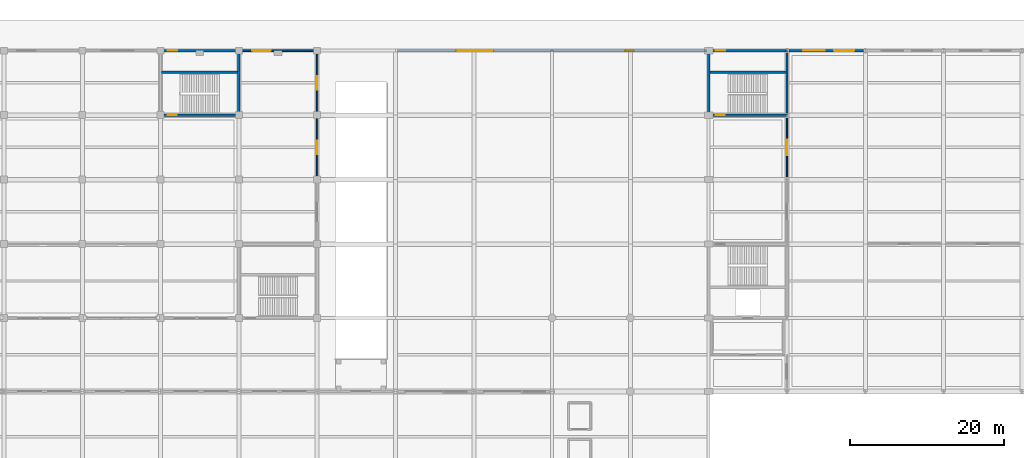
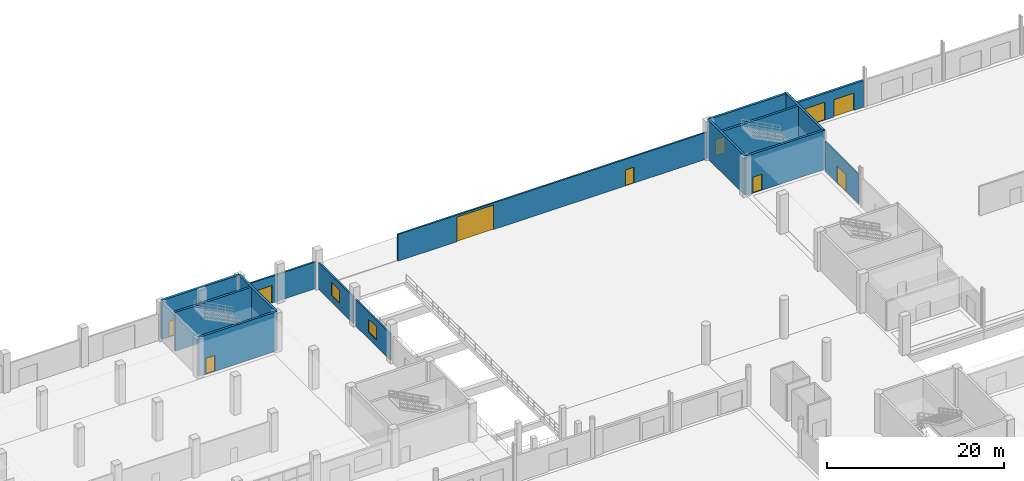
# One storey, part 98 of 124: 15 walls, 10 doors, 2 windows, 12 openings.
"""IFC4 building model written with IfcOpenShell, lengths in metres."""

from ifc_helpers import new_model, si_unit, direction, frame, frame_2d, origin, place, context, subcontext, project, spatial, rectangle, extrude, material, layer, layer_set, type_object, element, fill, save


model = new_model("IFC4")

# Units and contexts
model_context = context("Model", 3, precision=1e-05, world=origin(), true_north=direction((0.0, 1.0)))
body_context = subcontext(model_context, "Body", "Model", "MODEL_VIEW")
ifc_project = project(units=[si_unit("LENGTHUNIT", "METRE"), si_unit("AREAUNIT", "SQUARE_METRE"), si_unit("VOLUMEUNIT", "CUBIC_METRE"), si_unit("PLANEANGLEUNIT", "RADIAN"), si_unit("MASSUNIT", "GRAM", prefix="KILO")], contexts=[model_context])

# Site, building, storey
site_placement = place(None, origin())
site = spatial("IfcSite", under=ifc_project, at=site_placement, CompositionType="ELEMENT")
building_placement = place(site_placement, origin())
building = spatial("IfcBuilding", under=site, at=building_placement, Name="Brelvane Convention Centre", CompositionType="ELEMENT")
storey_placement = place(building_placement, origin())
storey = spatial("IfcBuildingStorey", under=building, at=storey_placement, Name="L00", CompositionType="ELEMENT", Elevation=0.0)

# Wall, openings, doors
ifc_material_1 = material(Name="Insulated Autoclaved Aerated Concrete Block Grade 1", Category="concrete")
ifc_layer_1 = layer(ifc_material_1, 0.280029296875)
ifc_layer_set_1 = layer_set([ifc_layer_1], Name="Insulated Autoclaved Aerated Concrete Block Grade 1")
wall_type_1 = type_object("IfcWallType", Name="Exterior Wall EW-01", PredefinedType="STANDARD", material=ifc_layer_set_1)
wall_1_placement = place(storey_placement, frame((173.639892578125, 144.0, 0.0), z_axis=(0.0, 0.0, 1.0), x_axis=(1.0, 0.0, 0.0)))
wall_1 = element("IfcWall", 1, at=wall_1_placement, inside=storey, type_object=wall_type_1, Name="Exterior Wall L00 V3N-L00-1", PredefinedType="STANDARD", context=body_context, shape_type="SweptSolid", body=[
    extrude(rectangle(XDim=9.72021484375, YDim=0.280029296875, at=frame_2d((4.860107421875, 0.0))), origin(), (0.0, 0.0, 1.0), 3.679931640625),
])
opening_1_placement = place(wall_1_placement, frame((1.905029296875, 0.0, 0.0)))
opening_1 = element("IfcOpeningElement", 2, at=opening_1_placement, cuts=wall_1, Name="Opening DR-EX-02", PredefinedType="OPENING", context=body_context, shape_type="SweptSolid", body=[
    extrude(rectangle(XDim=2.800048828125, YDim=2.449951171875, at=frame_2d((1.39990234375, 1.22509765625))), frame((0.0, 0.14990234375, 0.0), z_axis=(0.0, -1.0, 0.0), x_axis=(1.0, 0.0, 0.0)), (0.0, 0.0, 1.0), 0.300048828125),
])
opening_2_placement = place(wall_1_placement, frame((5.89306640625, 0.0, 0.0)))
opening_2 = element("IfcOpeningElement", 3, at=opening_2_placement, cuts=wall_1, Name="Opening DR-EX-03", PredefinedType="OPENING", context=body_context, shape_type="SweptSolid", body=[
    extrude(rectangle(XDim=2.60009765625, YDim=2.39990234375, at=frame_2d((1.300048828125, 1.199951171875))), frame((0.0, 0.14990234375, 0.0), z_axis=(0.0, -1.0, 0.0), x_axis=(1.0, 0.0, 0.0)), (0.0, 0.0, 1.0), 0.300048828125),
])
ifc_material_2 = material(Name="Anodised Aluminium Alloy 6063-T6", Category="aluminium")
door_type_1 = type_object("IfcDoorType", Name="Exterior Door DR-EX-02", OperationType="NOTDEFINED", PredefinedType="DOOR", material=ifc_material_2)
door_1_placement = place(opening_1_placement, origin())
door_1 = element("IfcDoor", 4, at=door_1_placement, inside=storey, type_object=door_type_1, Name="Final Exit Door BALL-N1A (DR-EX-02)", OperationType="DOUBLE_DOOR_SINGLE_SWING", OverallHeight=2.449951171875, OverallWidth=2.800048828125, PredefinedType="DOOR", context=body_context, shape_type="SweptSolid", body=[
    extrude(rectangle(XDim=2.800048828125, YDim=2.449951171875, at=frame_2d((1.39990234375, 1.22509765625))), frame((0.0, 0.02490234375, 0.0), z_axis=(0.0, -1.0, 0.0), x_axis=(1.0, 0.0, 0.0)), (0.0, 0.0, 1.0), 0.050048828125),
])
fill(opening_1, door_1)
ifc_material_3 = material(Name="Anodised Aluminium Alloy 6063-T6", Category="aluminium")
door_type_2 = type_object("IfcDoorType", Name="Exterior Door DR-EX-03", OperationType="NOTDEFINED", PredefinedType="DOOR", material=ifc_material_3)
door_2_placement = place(opening_2_placement, origin())
door_2 = element("IfcDoor", 5, at=door_2_placement, inside=storey, type_object=door_type_2, Name="Final Exit Door BALL-N1B (DR-EX-03)", OperationType="DOUBLE_DOOR_SINGLE_SWING", OverallHeight=2.39990234375, OverallWidth=2.60009765625, PredefinedType="DOOR", context=body_context, shape_type="SweptSolid", body=[
    extrude(rectangle(XDim=2.60009765625, YDim=2.39990234375, at=frame_2d((1.300048828125, 1.199951171875))), frame((0.0, 0.02490234375, 0.0), z_axis=(0.0, -1.0, 0.0), x_axis=(1.0, 0.0, 0.0)), (0.0, 0.0, 1.0), 0.050048828125),
])
fill(opening_2, door_2)

# Wall, opening, window
ifc_material_4 = material(Name="Insulated Autoclaved Aerated Concrete Block Grade 1", Category="concrete")
ifc_layer_2 = layer(ifc_material_4, 0.205078125)
ifc_layer_set_2 = layer_set([ifc_layer_2], Name="Insulated Autoclaved Aerated Concrete Block Grade 1")
wall_type_2 = type_object("IfcWallType", Name="Exterior Wall EW-05", PredefinedType="STANDARD", material=ifc_layer_set_2)
wall_2_placement = place(storey_placement, frame((112.199951171875, 127.43994140625, 0.0), z_axis=(0.0, 0.0, 1.0), x_axis=(0.0, 1.0, 0.0)))
wall_2 = element("IfcWall", 6, at=wall_2_placement, inside=storey, type_object=wall_type_2, Name="Exterior Wall L00 V4E-3", PredefinedType="STANDARD", context=body_context, shape_type="SweptSolid", body=[
    extrude(rectangle(XDim=7.920166015625, YDim=0.205078125, at=frame_2d((3.9599609375, 0.0))), origin(), (0.0, 0.0, 1.0), 3.679931640625),
])
opening_3_placement = place(wall_2_placement, frame((3.06005859375, 0.0, 0.949951171875)))
opening_3 = element("IfcOpeningElement", 7, at=opening_3_placement, cuts=wall_2, Name="Opening WN-04", PredefinedType="OPENING", context=body_context, shape_type="SweptSolid", body=[
    extrude(rectangle(XDim=1.800048828125, YDim=1.800048828125, at=frame_2d((0.89990234375, 0.89990234375))), frame((0.0, 0.112548828125, 0.0), z_axis=(0.0, -1.0, 0.0), x_axis=(1.0, 0.0, 0.0)), (0.0, 0.0, 1.0), 0.22509765625),
])
ifc_material_5 = material(Name="Double Glazed Low-E Laminated Unit")
window_type = type_object("IfcWindowType", Name="Window WN-04", PartitioningType="DOUBLE_PANEL_VERTICAL", PredefinedType="WINDOW", material=ifc_material_5)
window_1_placement = place(opening_3_placement, origin())
window_1 = element("IfcWindow", 8, at=window_1_placement, inside=storey, type_object=window_type, Name="Facade Window L00-V4E-3-015", OverallHeight=1.800048828125, OverallWidth=1.800048828125, PartitioningType="DOUBLE_PANEL_VERTICAL", PredefinedType="WINDOW", context=body_context, shape_type="SweptSolid", body=[
    extrude(rectangle(XDim=1.800048828125, YDim=1.800048828125, at=frame_2d((0.89990234375, 0.89990234375))), frame((0.0, 0.030029296875, 0.0), z_axis=(0.0, -1.0, 0.0), x_axis=(1.0, 0.0, 0.0)), (0.0, 0.0, 1.0), 0.06005859375),
])
fill(opening_3, window_1)

wall_3_placement = place(storey_placement, frame((112.199951171875, 135.840087890625, 0.0), z_axis=(0.0, 0.0, 1.0), x_axis=(0.0, 1.0, 0.0)))
wall_3 = element("IfcWall", 9, at=wall_3_placement, inside=storey, type_object=wall_type_2, Name="Exterior Wall L00 V4E-4", PredefinedType="STANDARD", context=body_context, shape_type="SweptSolid", body=[
    extrude(rectangle(XDim=7.919921875, YDim=0.205078125, at=frame_2d((3.9599609375, 0.0))), origin(), (0.0, 0.0, 1.0), 3.679931640625),
])
opening_4_placement = place(wall_3_placement, frame((3.06005859375, 0.0, 0.949951171875)))
opening_4 = element("IfcOpeningElement", 10, at=opening_4_placement, cuts=wall_3, Name="Opening WN-04", PredefinedType="OPENING", context=body_context, shape_type="SweptSolid", body=[
    extrude(rectangle(XDim=1.800048828125, YDim=1.800048828125, at=frame_2d((0.89990234375, 0.89990234375))), frame((0.0, 0.112548828125, 0.0), z_axis=(0.0, -1.0, 0.0), x_axis=(1.0, 0.0, 0.0)), (0.0, 0.0, 1.0), 0.22509765625),
])
window_2_placement = place(opening_4_placement, origin())
window_2 = element("IfcWindow", 11, at=window_2_placement, inside=storey, type_object=window_type, Name="Facade Window L00-V4E-4-016", OverallHeight=1.800048828125, OverallWidth=1.800048828125, PartitioningType="DOUBLE_PANEL_VERTICAL", PredefinedType="WINDOW", context=body_context, shape_type="SweptSolid", body=[
    extrude(rectangle(XDim=1.800048828125, YDim=1.800048828125, at=frame_2d((0.89990234375, 0.89990234375))), frame((0.0, 0.030029296875, 0.0), z_axis=(0.0, -1.0, 0.0), x_axis=(1.0, 0.0, 0.0)), (0.0, 0.0, 1.0), 0.06005859375),
])
fill(opening_4, window_2)

# Wall, opening, door
ifc_material_6 = material(Name="Concrete M40", Category="concrete")
ifc_layer_3 = layer(ifc_material_6, 0.215087890625)
ifc_layer_set_3 = layer_set([ifc_layer_3], Name="Concrete M40")
wall_type_3 = type_object("IfcWallType", Name="Exterior Wall EW-10", PredefinedType="SOLIDWALL", material=ifc_layer_set_3)
wall_4_placement = place(storey_placement, frame((102.239990234375, 144.0, 0.0), z_axis=(0.0, 0.0, 1.0), x_axis=(1.0, 0.0, 0.0)))
wall_4 = element("IfcWall", 12, at=wall_4_placement, inside=storey, type_object=wall_type_3, Name="Exterior Wall L00 V4N-11", PredefinedType="SOLIDWALL", context=body_context, shape_type="SweptSolid", body=[
    extrude(rectangle(XDim=9.719970703125, YDim=0.215087890625, at=frame_2d((4.85986328125, 0.0))), origin(), (0.0, 0.0, 1.0), 3.679931640625),
])
opening_5_placement = place(wall_4_placement, frame((1.52197265625, 0.0, 0.0)))
opening_5 = element("IfcOpeningElement", 13, at=opening_5_placement, cuts=wall_4, Name="Opening DR-EX-04", PredefinedType="OPENING", context=body_context, shape_type="SweptSolid", body=[
    extrude(rectangle(XDim=2.39990234375, YDim=2.39990234375, at=frame_2d((1.199951171875, 1.199951171875))), frame((0.0, 0.117431640625, 0.0), z_axis=(0.0, -1.0, 0.0), x_axis=(1.0, 0.0, 0.0)), (0.0, 0.0, 1.0), 0.235107421875),
])
ifc_material_7 = material(Name="Anodised Aluminium Alloy 6063-T6", Category="aluminium")
door_type_3 = type_object("IfcDoorType", Name="Exterior Door DR-EX-04", OperationType="NOTDEFINED", PredefinedType="DOOR", material=ifc_material_7)
door_3_placement = place(opening_5_placement, origin())
door_3 = element("IfcDoor", 14, at=door_3_placement, inside=storey, type_object=door_type_3, Name="Final Exit Door KITCH-N11 (DR-EX-04)", OperationType="DOUBLE_DOOR_SINGLE_SWING", OverallHeight=2.39990234375, OverallWidth=2.39990234375, PredefinedType="DOOR", context=body_context, shape_type="SweptSolid", body=[
    extrude(rectangle(XDim=2.39990234375, YDim=2.39990234375, at=frame_2d((1.199951171875, 1.199951171875))), frame((0.0, 0.02490234375, 0.0), z_axis=(0.0, -1.0, 0.0), x_axis=(1.0, 0.0, 0.0)), (0.0, 0.0, 1.0), 0.050048828125),
])
fill(opening_5, door_3)

# Wall, openings, doors
wall_5_placement = place(storey_placement, frame((122.639892578125, 144.0, 0.0), z_axis=(0.0, 0.0, 1.0), x_axis=(1.0, 0.0, 0.0)))
wall_5 = element("IfcWall", 15, at=wall_5_placement, inside=storey, type_object=wall_type_3, Name="Exterior Wall L00 SYD-GATE-WALL", PredefinedType="SOLIDWALL", context=body_context, shape_type="SweptSolid", body=[
    extrude(rectangle(XDim=40.320068359375, YDim=0.215087890625, at=frame_2d((20.16015625, 0.0))), origin(), (0.0, 0.0, 1.0), 3.679931640625),
])
opening_6_placement = place(wall_5_placement, frame((7.679931640625, 0.0, 0.0)))
opening_6 = element("IfcOpeningElement", 16, at=opening_6_placement, cuts=wall_5, Name="Opening DR-VG-01", PredefinedType="OPENING", context=body_context, shape_type="SweptSolid", body=[
    extrude(rectangle(XDim=4.800048828125, YDim=3.39990234375, at=frame_2d((2.39990234375, 1.699951171875))), frame((0.0, 0.117431640625, 0.0), z_axis=(0.0, -1.0, 0.0), x_axis=(1.0, 0.0, 0.0)), (0.0, 0.0, 1.0), 0.235107421875),
])
opening_7_placement = place(wall_5_placement, frame((29.68994140625, 0.0, 0.0)))
opening_7 = element("IfcOpeningElement", 17, at=opening_7_placement, cuts=wall_5, Name="Opening DR-EX-09", PredefinedType="OPENING", context=body_context, shape_type="SweptSolid", body=[
    extrude(rectangle(XDim=1.10009765625, YDim=2.199951171875, at=frame_2d((0.550048828125, 1.10009765625))), frame((0.0, 0.117431640625, 0.0), z_axis=(0.0, -1.0, 0.0), x_axis=(1.0, 0.0, 0.0)), (0.0, 0.0, 1.0), 0.235107421875),
])
ifc_material_8 = material(Name="Anodised Aluminium Alloy 6063-T6", Category="aluminium")
door_type_4 = type_object("IfcDoorType", Name="Exterior Door DR-EX-09", OperationType="NOTDEFINED", PredefinedType="DOOR", material=ifc_material_8)
door_4_placement = place(opening_7_placement, origin())
door_4 = element("IfcDoor", 18, at=door_4_placement, inside=storey, type_object=door_type_4, Name="Final Exit Door SYD-PED-1 (DR-EX-09)", OperationType="SINGLE_SWING_RIGHT", OverallHeight=2.199951171875, OverallWidth=1.10009765625, PredefinedType="DOOR", context=body_context, shape_type="SweptSolid", body=[
    extrude(rectangle(XDim=1.10009765625, YDim=2.199951171875, at=frame_2d((0.550048828125, 1.10009765625))), frame((0.0, 0.02490234375, 0.0), z_axis=(0.0, -1.0, 0.0), x_axis=(1.0, 0.0, 0.0)), (0.0, 0.0, 1.0), 0.050048828125),
])
fill(opening_7, door_4)
ifc_material_9 = material(Name="Steel E350 (350 MPa)", Category="steel")
door_type_5 = type_object("IfcDoorType", Name="Exterior Gate DR-VG-01", OperationType="NOTDEFINED", PredefinedType="GATE", material=ifc_material_9)
door_5_placement = place(opening_6_placement, origin())
door_5 = element("IfcDoor", 19, at=door_5_placement, inside=storey, type_object=door_type_5, Name="Final Exit Door SYD-STREET-GATE1 (DR-VG-01)", OperationType="ROLLINGUP", OverallHeight=3.39990234375, OverallWidth=4.800048828125, PredefinedType="GATE", context=body_context, shape_type="SweptSolid", body=[
    extrude(rectangle(XDim=4.800048828125, YDim=3.39990234375, at=frame_2d((2.39990234375, 1.699951171875))), frame((0.0, 0.02490234375, 0.0), z_axis=(0.0, -1.0, 0.0), x_axis=(1.0, 0.0, 0.0)), (0.0, 0.0, 1.0), 0.050048828125),
])
fill(opening_6, door_5)

# Wall, opening, door
ifc_material_10 = material(Name="Fire-Rated Acoustic Gypsum Partition Board Grade A")
ifc_layer_4 = layer(ifc_material_10, 0.1650390625)
ifc_layer_set_4 = layer_set([ifc_layer_4], Name="Fire-Rated Acoustic Gypsum Partition Board Grade A")
wall_type_4 = type_object("IfcWallType", Name="Interior Wall IW-AC-165", PredefinedType="PARTITIONING", material=ifc_layer_set_4)
wall_6_placement = place(storey_placement, frame((173.39990234375, 127.60009765625, 0.0), z_axis=(0.0, 0.0, 1.0), x_axis=(0.0, 1.0, 0.0)))
wall_6 = element("IfcWall", 20, at=wall_6_placement, inside=storey, type_object=wall_type_4, Name="Interior Partition L00-BALL-W3", PredefinedType="PARTITIONING", context=body_context, shape_type="SweptSolid", body=[
    extrude(rectangle(XDim=7.599853515625, YDim=0.1650390625, at=frame_2d((3.7998046875, 0.0))), origin(), (0.0, 0.0, 1.0), 4.080078125),
])
opening_8_placement = place(wall_6_placement, frame((2.77490234375, 0.0, 0.0)))
opening_8 = element("IfcOpeningElement", 21, at=opening_8_placement, cuts=wall_6, Name="Opening DR-IN-21", PredefinedType="OPENING", context=body_context, shape_type="SweptSolid", body=[
    extrude(rectangle(XDim=2.050048828125, YDim=2.360107421875, at=frame_2d((1.02490234375, 1.18017578125))), frame((0.0, 0.092529296875, 0.0), z_axis=(0.0, -1.0, 0.0), x_axis=(1.0, 0.0, 0.0)), (0.0, 0.0, 1.0), 0.18505859375),
])
ifc_material_11 = material(Name="Galvanised Hollow-Metal Fire Door Steel E250", Category="steel")
door_type_6 = type_object("IfcDoorType", Name="Interior Door DR-IN-21", OperationType="NOTDEFINED", PredefinedType="DOOR", material=ifc_material_11)
door_6_placement = place(opening_8_placement, origin())
door_6 = element("IfcDoor", 22, at=door_6_placement, inside=storey, type_object=door_type_6, Name="Interior Door L00-BALL-W3 (DR-IN-21)", OperationType="DOUBLE_DOOR_SINGLE_SWING", OverallHeight=2.360107421875, OverallWidth=2.050048828125, PredefinedType="DOOR", context=body_context, shape_type="SweptSolid", body=[
    extrude(rectangle(XDim=2.050048828125, YDim=2.360107421875, at=frame_2d((1.02490234375, 1.18017578125))), frame((0.0, 0.02490234375, 0.0), z_axis=(0.0, -1.0, 0.0), x_axis=(1.0, 0.0, 0.0)), (0.0, 0.0, 1.0), 0.050048828125),
])
fill(opening_8, door_6)

ifc_material_12 = material(Name="Concrete M50", Category="concrete")
ifc_layer_5 = layer(ifc_material_12, 0.300048828125)
ifc_layer_set_5 = layer_set([ifc_layer_5], Name="Concrete M50")
wall_type_5 = type_object("IfcWallType", Name="Structural Wall WL-CORE-300", PredefinedType="SHEAR", material=ifc_layer_set_5)
wall_7_placement = place(storey_placement, frame((163.199951171875, 135.60009765625, 0.0), z_axis=(0.0, 0.0, 1.0), x_axis=(1.0, 0.0, 0.0)))
wall_7 = element("IfcWall", 23, at=wall_7_placement, inside=storey, type_object=wall_type_5, Name="Stair Core ST-11 Wall S (L00)", PredefinedType="SHEAR", context=body_context, shape_type="SweptSolid", body=[
    extrude(rectangle(XDim=10.199951171875, YDim=0.300048828125, at=frame_2d((5.10009765625, 0.0))), origin(), (0.0, 0.0, 1.0), 5.39990234375),
])
opening_9_placement = place(wall_7_placement, frame((0.919921875, 0.0, 0.0)))
opening_9 = element("IfcOpeningElement", 24, at=opening_9_placement, cuts=wall_7, Name="Opening DR-IN-04L", PredefinedType="OPENING", context=body_context, shape_type="SweptSolid", body=[
    extrude(rectangle(XDim=1.159912109375, YDim=2.199951171875, at=frame_2d((0.580078125, 1.10009765625))), frame((0.0, 0.159912109375, 0.0), z_axis=(0.0, -1.0, 0.0), x_axis=(1.0, 0.0, 0.0)), (0.0, 0.0, 1.0), 0.320068359375),
])
ifc_material_13 = material(Name="Galvanised Hollow-Metal Fire Door Steel E250", Category="steel")
door_type_7 = type_object("IfcDoorType", Name="Interior Door DR-IN-04L", OperationType="NOTDEFINED", PredefinedType="DOOR", material=ifc_material_13)
door_7_placement = place(opening_9_placement, origin())
door_7 = element("IfcDoor", 25, at=door_7_placement, inside=storey, type_object=door_type_7, Name="Stair ST-11 Entry Door (L00)", OperationType="SINGLE_SWING_LEFT", OverallHeight=2.199951171875, OverallWidth=1.159912109375, PredefinedType="DOOR", context=body_context, shape_type="SweptSolid", body=[
    extrude(rectangle(XDim=1.159912109375, YDim=2.199951171875, at=frame_2d((0.580078125, 1.10009765625))), frame((0.0, 0.02490234375, 0.0), z_axis=(0.0, -1.0, 0.0), x_axis=(1.0, 0.0, 0.0)), (0.0, 0.0, 1.0), 0.050048828125),
])
fill(opening_9, door_7)

wall_8_placement = place(storey_placement, frame((163.199951171875, 144.0, 0.0), z_axis=(0.0, 0.0, 1.0), x_axis=(1.0, 0.0, 0.0)))
wall_8 = element("IfcWall", 26, at=wall_8_placement, inside=storey, type_object=wall_type_5, Name="Stair Core ST-11 Wall N (L00)", PredefinedType="SHEAR", context=body_context, shape_type="SweptSolid", body=[
    extrude(rectangle(XDim=10.199951171875, YDim=0.300048828125, at=frame_2d((5.10009765625, 0.0))), origin(), (0.0, 0.0, 1.0), 5.39990234375),
])
opening_10_placement = place(wall_8_placement, frame((0.949951171875, 0.0, 0.0)))
opening_10 = element("IfcOpeningElement", 27, at=opening_10_placement, cuts=wall_8, Name="Opening DR-EX-08", PredefinedType="OPENING", context=body_context, shape_type="SweptSolid", body=[
    extrude(rectangle(XDim=1.199951171875, YDim=2.199951171875, at=frame_2d((0.60009765625, 1.10009765625))), frame((0.0, 0.159912109375, 0.0), z_axis=(0.0, -1.0, 0.0), x_axis=(1.0, 0.0, 0.0)), (0.0, 0.0, 1.0), 0.320068359375),
])
ifc_material_14 = material(Name="Anodised Aluminium Alloy 6063-T6", Category="aluminium")
door_type_8 = type_object("IfcDoorType", Name="Exterior Door DR-EX-08", OperationType="NOTDEFINED", PredefinedType="DOOR", material=ifc_material_14)
door_8_placement = place(opening_10_placement, origin())
door_8 = element("IfcDoor", 28, at=door_8_placement, inside=storey, type_object=door_type_8, Name="Stair ST-11 Final Exit Door", OperationType="SINGLE_SWING_LEFT", OverallHeight=2.199951171875, OverallWidth=1.199951171875, PredefinedType="DOOR", context=body_context, shape_type="SweptSolid", body=[
    extrude(rectangle(XDim=1.199951171875, YDim=2.199951171875, at=frame_2d((0.60009765625, 1.10009765625))), frame((0.0, 0.02490234375, 0.0), z_axis=(0.0, -1.0, 0.0), x_axis=(1.0, 0.0, 0.0)), (0.0, 0.0, 1.0), 0.050048828125),
])
fill(opening_10, door_8)

# Walls
for number, where, z_axis, x_axis, name in (
    (29, (163.199951171875, 135.60009765625, 0.0), (0.0, 0.0, 1.0), (0.0, 1.0, 0.0), "Stair Core ST-11 Wall W (L00)"),
    (30, (173.39990234375, 135.60009765625, 0.0), (0.0, 0.0, 1.0), (0.0, 1.0, 0.0), "Stair Core ST-11 Wall E (L00)"),
):
    element("IfcWall", number, at=place(storey_placement, frame(where, z_axis=z_axis, x_axis=x_axis)), inside=storey, type_object=wall_type_5, Name=name, PredefinedType="SHEAR", context=body_context, shape_type="SweptSolid", body=[
        extrude(rectangle(XDim=8.39990234375, YDim=0.300048828125, at=frame_2d((4.199951171875, 0.0))), origin(), (0.0, 0.0, 1.0), 5.39990234375),
    ])
wall_9_placement = place(storey_placement, frame((163.35009765625, 141.199951171875, 0.0), z_axis=(0.0, 0.0, 1.0), x_axis=(1.0, 0.0, 0.0)))
element("IfcWall", 31, at=wall_9_placement, inside=storey, type_object=wall_type_5, Name="Stair Core ST-11 Well Wall (L00)", PredefinedType="SHEAR", context=body_context, shape_type="SweptSolid", body=[
    extrude(rectangle(XDim=9.89990234375, YDim=0.300048828125, at=frame_2d((4.949951171875, 0.0))), origin(), (0.0, 0.0, 1.0), 5.39990234375),
])

# Wall, opening, door
wall_10_placement = place(storey_placement, frame((91.800048828125, 135.60009765625, 0.0), z_axis=(0.0, 0.0, 1.0), x_axis=(1.0, 0.0, 0.0)))
wall_10 = element("IfcWall", 32, at=wall_10_placement, inside=storey, type_object=wall_type_5, Name="Stair Core ST-12 Wall S (L00)", PredefinedType="SHEAR", context=body_context, shape_type="SweptSolid", body=[
    extrude(rectangle(XDim=10.199951171875, YDim=0.300048828125, at=frame_2d((5.10009765625, 0.0))), origin(), (0.0, 0.0, 1.0), 5.39990234375),
])
opening_11_placement = place(wall_10_placement, frame((0.919921875, 0.0, 0.0)))
opening_11 = element("IfcOpeningElement", 33, at=opening_11_placement, cuts=wall_10, Name="Opening DR-IN-04L", PredefinedType="OPENING", context=body_context, shape_type="SweptSolid", body=[
    extrude(rectangle(XDim=1.159912109375, YDim=2.199951171875, at=frame_2d((0.580078125, 1.10009765625))), frame((0.0, 0.159912109375, 0.0), z_axis=(0.0, -1.0, 0.0), x_axis=(1.0, 0.0, 0.0)), (0.0, 0.0, 1.0), 0.320068359375),
])
door_9_placement = place(opening_11_placement, origin())
door_9 = element("IfcDoor", 34, at=door_9_placement, inside=storey, type_object=door_type_7, Name="Stair ST-12 Entry Door (L00)", OperationType="SINGLE_SWING_LEFT", OverallHeight=2.199951171875, OverallWidth=1.159912109375, PredefinedType="DOOR", context=body_context, shape_type="SweptSolid", body=[
    extrude(rectangle(XDim=1.159912109375, YDim=2.199951171875, at=frame_2d((0.580078125, 1.10009765625))), frame((0.0, 0.02490234375, 0.0), z_axis=(0.0, -1.0, 0.0), x_axis=(1.0, 0.0, 0.0)), (0.0, 0.0, 1.0), 0.050048828125),
])
fill(opening_11, door_9)

wall_11_placement = place(storey_placement, frame((91.800048828125, 144.0, 0.0), z_axis=(0.0, 0.0, 1.0), x_axis=(1.0, 0.0, 0.0)))
wall_11 = element("IfcWall", 35, at=wall_11_placement, inside=storey, type_object=wall_type_5, Name="Stair Core ST-12 Wall N (L00)", PredefinedType="SHEAR", context=body_context, shape_type="SweptSolid", body=[
    extrude(rectangle(XDim=10.199951171875, YDim=0.300048828125, at=frame_2d((5.10009765625, 0.0))), origin(), (0.0, 0.0, 1.0), 5.39990234375),
])
opening_12_placement = place(wall_11_placement, frame((0.949951171875, 0.0, 0.0)))
opening_12 = element("IfcOpeningElement", 36, at=opening_12_placement, cuts=wall_11, Name="Opening DR-EX-08", PredefinedType="OPENING", context=body_context, shape_type="SweptSolid", body=[
    extrude(rectangle(XDim=1.199951171875, YDim=2.199951171875, at=frame_2d((0.60009765625, 1.10009765625))), frame((0.0, 0.159912109375, 0.0), z_axis=(0.0, -1.0, 0.0), x_axis=(1.0, 0.0, 0.0)), (0.0, 0.0, 1.0), 0.320068359375),
])
door_10_placement = place(opening_12_placement, origin())
door_10 = element("IfcDoor", 37, at=door_10_placement, inside=storey, type_object=door_type_8, Name="Stair ST-12 Final Exit Door", OperationType="SINGLE_SWING_LEFT", OverallHeight=2.199951171875, OverallWidth=1.199951171875, PredefinedType="DOOR", context=body_context, shape_type="SweptSolid", body=[
    extrude(rectangle(XDim=1.199951171875, YDim=2.199951171875, at=frame_2d((0.60009765625, 1.10009765625))), frame((0.0, 0.02490234375, 0.0), z_axis=(0.0, -1.0, 0.0), x_axis=(1.0, 0.0, 0.0)), (0.0, 0.0, 1.0), 0.050048828125),
])
fill(opening_12, door_10)

# Walls
wall_12_placement = place(storey_placement, frame((102.0, 135.60009765625, 0.0), z_axis=(0.0, 0.0, 1.0), x_axis=(0.0, 1.0, 0.0)))
element("IfcWall", 38, at=wall_12_placement, inside=storey, type_object=wall_type_5, Name="Stair Core ST-12 Wall E (L00)", PredefinedType="SHEAR", context=body_context, shape_type="SweptSolid", body=[
    extrude(rectangle(XDim=8.39990234375, YDim=0.300048828125, at=frame_2d((4.199951171875, 0.0))), origin(), (0.0, 0.0, 1.0), 5.39990234375),
])
wall_13_placement = place(storey_placement, frame((91.949951171875, 141.199951171875, 0.0), z_axis=(0.0, 0.0, 1.0), x_axis=(1.0, 0.0, 0.0)))
element("IfcWall", 39, at=wall_13_placement, inside=storey, type_object=wall_type_5, Name="Stair Core ST-12 Well Wall (L00)", PredefinedType="SHEAR", context=body_context, shape_type="SweptSolid", body=[
    extrude(rectangle(XDim=9.900146484375, YDim=0.300048828125, at=frame_2d((4.9501953125, 0.0))), origin(), (0.0, 0.0, 1.0), 5.39990234375),
])

save(model, "model.ifc")
